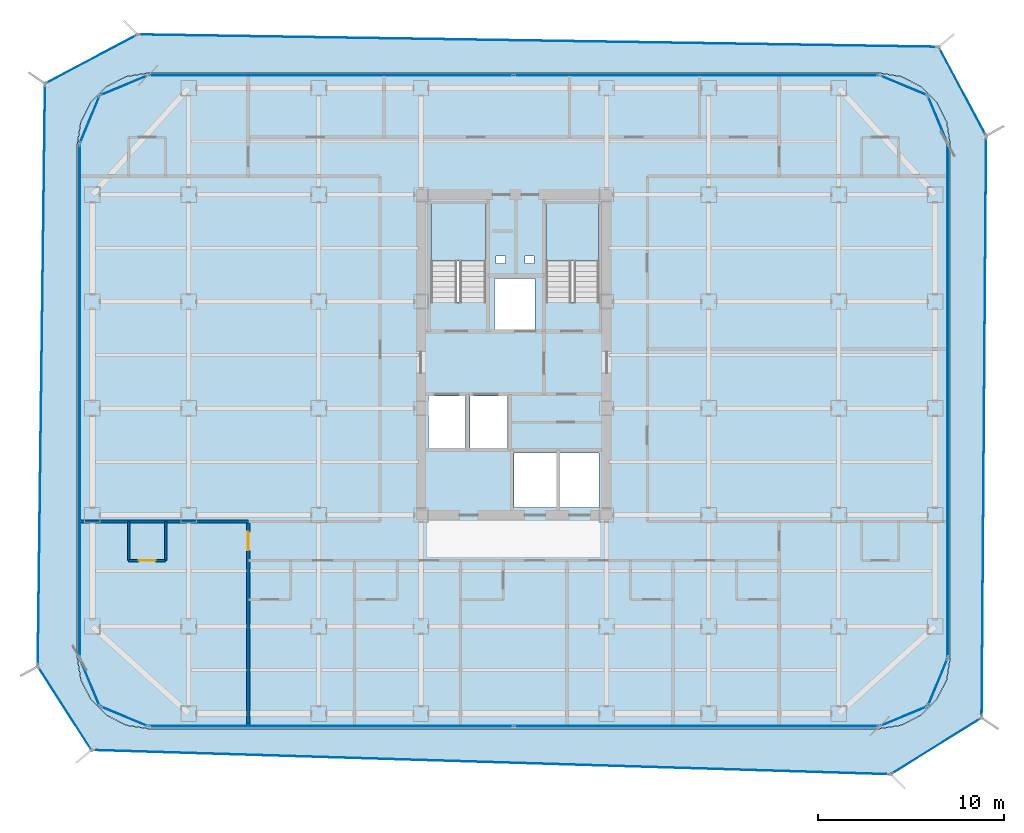
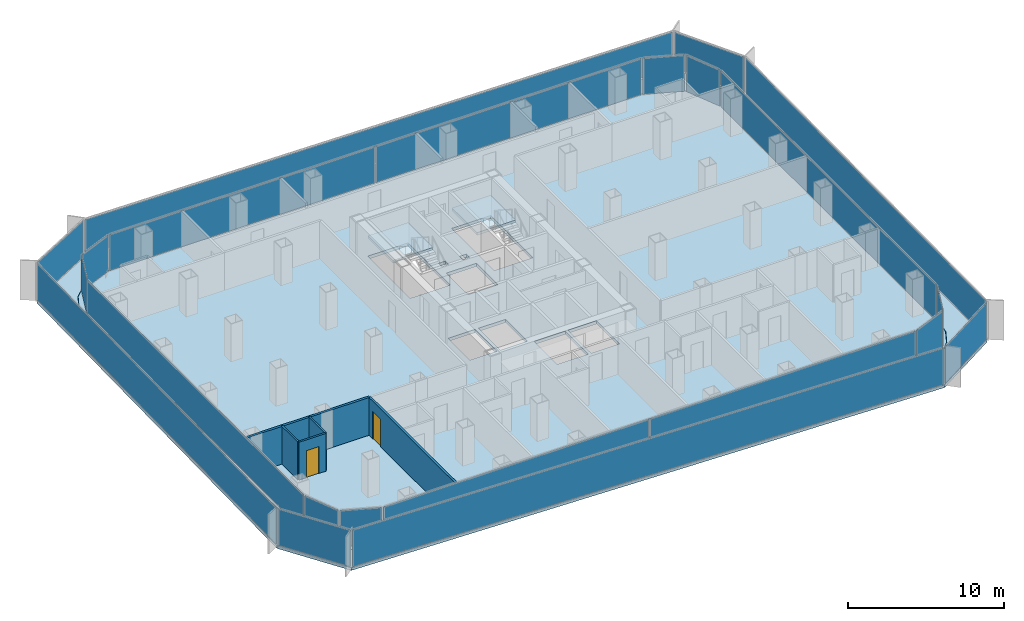
# One storey, part 15 of 21: 22 plates, 5 walls, 4 slabs, 2 doors, 2 openings, 22 elements without a shape of their own.
"""IFC4 building model written with IfcOpenShell, lengths in metres."""

from ifc_helpers import new_model, si_unit, direction, frame, frame_2d, origin, origin_2d, place, context, subcontext, project, spatial, polyline, rectangle, outline, extrude, source, transform, mapped, material, layer, layer_set, type_object, element, fill, aggregate, save


model = new_model("IFC4")

# Units and contexts
model_context = context("Model", 3, precision=1e-05, world=origin(), true_north=direction((0.0, 1.0)))
body_context = subcontext(model_context, "Body", "Model", "MODEL_VIEW")
ifc_project = project(units=[si_unit("LENGTHUNIT", "METRE"), si_unit("AREAUNIT", "SQUARE_METRE"), si_unit("VOLUMEUNIT", "CUBIC_METRE"), si_unit("PLANEANGLEUNIT", "RADIAN"), si_unit("MASSUNIT", "GRAM", prefix="KILO")], contexts=[model_context])

# Site, building, storey
site_placement = place(None, origin())
site = spatial("IfcSite", under=ifc_project, at=site_placement, CompositionType="ELEMENT")
building_placement = place(site_placement, origin())
building = spatial("IfcBuilding", under=site, at=building_placement, Name="Kolveth Station Tower", CompositionType="ELEMENT")
storey_placement = place(building_placement, frame((0.0, 0.0, 99.10009765625)))
storey = spatial("IfcBuildingStorey", under=building, at=storey_placement, Name="L26", CompositionType="ELEMENT", Elevation=99.10009765625)

# Slab
ifc_material_1 = material(Name="Concrete C40/50", Category="concrete")
ifc_layer_1 = layer(ifc_material_1, 0.25)
ifc_layer_set_1 = layer_set([ifc_layer_1], Name="Concrete C40/50")
slab_type_1 = type_object("IfcSlabType", Name="Slab_SF-250", PredefinedType="FLOOR", material=ifc_layer_set_1)
slab_1_placement = place(storey_placement, frame((0.0, 0.0, -0.25)))
element("IfcSlab", 1, at=slab_1_placement, inside=storey, type_object=slab_type_1, Name="L26 Tower Structural Floor Slab", PredefinedType="FLOOR", context=body_context, shape_type="SweptSolid", body=[
    extrude(outline(polyline([(43.199951171875, 0.0), (44.374267578125, 0.18603515625), (45.43359375, 0.7255859375), (46.2744140625, 1.56640625), (46.81396484375, 2.625732421875), (47.0, 3.800048828125), (47.0, 31.5), (46.81396484375, 32.67431640625), (46.2744140625, 33.733642578125), (45.43359375, 34.57421875), (44.374267578125, 35.114013671875), (43.199951171875, 35.300048828125), (3.800048828125, 35.300048828125), (2.625732421875, 35.114013671875), (1.56640625, 34.57421875), (0.7255859375, 33.733642578125), (0.18603515625, 32.67431640625), (0.0, 31.5), (0.0, 3.800048828125), (0.18603515625, 2.625732421875), (0.7255859375, 1.56640625), (1.56640625, 0.7255859375), (2.625732421875, 0.18603515625), (3.800048828125, 0.0), (43.199951171875, 0.0)]), holes=[polyline([(19.0400390625, 22.985107421875), (22.0, 22.985107421875), (22.0, 28.39990234375), (19.0400390625, 28.39990234375), (19.0400390625, 22.985107421875)]), polyline([(25.239990234375, 22.985107421875), (28.10009765625, 22.985107421875), (28.10009765625, 28.39990234375), (25.239990234375, 28.39990234375), (25.239990234375, 22.985107421875)]), polyline([(18.89990234375, 15.10009765625), (20.89990234375, 15.10009765625), (20.89990234375, 17.89990234375), (18.89990234375, 17.89990234375), (18.89990234375, 15.10009765625)]), polyline([(21.14990234375, 15.10009765625), (23.14990234375, 15.10009765625), (23.14990234375, 17.89990234375), (21.14990234375, 17.89990234375), (21.14990234375, 15.10009765625)]), polyline([(22.449951171875, 21.5), (24.64990234375, 21.5), (24.64990234375, 24.25), (22.449951171875, 24.25), (22.449951171875, 21.5)]), polyline([(23.5, 11.89990234375), (25.800048828125, 11.89990234375), (25.800048828125, 14.85009765625), (23.5, 14.85009765625), (23.5, 11.89990234375)]), polyline([(26.0, 11.89990234375), (28.10009765625, 11.89990234375), (28.10009765625, 14.85009765625), (26.0, 14.85009765625), (26.0, 11.89990234375)]), polyline([(22.550048828125, 25.050048828125), (23.050048828125, 25.050048828125), (23.050048828125, 25.449951171875), (22.550048828125, 25.449951171875), (22.550048828125, 25.050048828125)]), polyline([(24.10009765625, 25.050048828125), (24.60009765625, 25.050048828125), (24.60009765625, 25.449951171875), (24.10009765625, 25.449951171875), (24.10009765625, 25.050048828125)])]), origin(), (0.0, 0.0, 1.0), 0.25),
])

# Stair, slab
stair_type_1 = type_object("IfcStairType", Name="Stair_ST2", PredefinedType="HALF_TURN_STAIR", material=ifc_material_1)
stair_1_placement = place(storey_placement, origin())
stair_1 = element("IfcStair", 2, at=stair_1_placement, inside=storey, type_object=stair_type_1, Name="L26 Tower Exit Stair ST2", PredefinedType="HALF_TURN_STAIR")
ifc_layer_2 = layer(ifc_material_1, 0.18994140625)
ifc_layer_set_2 = layer_set([ifc_layer_2], Name="Concrete C40/50")
slab_type_2 = type_object("IfcSlabType", Name="Slab_SL-190", PredefinedType="LANDING", material=ifc_layer_set_2)
slab_2_placement = place(storey_placement, frame((0.0, 0.0, 1.39990234375)))
slab_2 = element("IfcSlab", 3, at=slab_2_placement, type_object=slab_type_2, Name="ST2 landing 1", PredefinedType="LANDING", context=body_context, shape_type="SweptSolid", body=[
    extrude(outline(polyline([(28.10009765625, 25.18994140625), (28.10009765625, 28.39990234375), (25.239990234375, 28.39990234375), (25.239990234375, 25.18994140625), (28.10009765625, 25.18994140625)])), origin(), (0.0, 0.0, 1.0), 0.199951171875),
])
aggregate(stair_1, [slab_2])

stair_type_2 = type_object("IfcStairType", Name="Stair_ST1", PredefinedType="HALF_TURN_STAIR", material=ifc_material_1)
stair_2_placement = place(storey_placement, origin())
stair_2 = element("IfcStair", 4, at=stair_2_placement, inside=storey, type_object=stair_type_2, Name="L26 Tower Exit Stair ST1", PredefinedType="HALF_TURN_STAIR")
ifc_layer_3 = layer(ifc_material_1, 0.205078125)
ifc_layer_set_3 = layer_set([ifc_layer_3], Name="Concrete C40/50")
slab_type_3 = type_object("IfcSlabType", Name="Slab_SL-205", PredefinedType="LANDING", material=ifc_layer_set_3)
slab_3_placement = place(storey_placement, frame((0.0, 0.0, 1.39990234375)))
slab_3 = element("IfcSlab", 5, at=slab_3_placement, type_object=slab_type_3, Name="ST1 landing 1", PredefinedType="LANDING", context=body_context, shape_type="SweptSolid", body=[
    extrude(outline(polyline([(22.0, 25.18994140625), (22.0, 28.39990234375), (19.0400390625, 28.39990234375), (19.0400390625, 25.18994140625), (22.0, 25.18994140625)])), origin(), (0.0, 0.0, 1.0), 0.199951171875),
])
aggregate(stair_2, [slab_3])

# Slab
ifc_layer_4 = layer(ifc_material_1, 0.2099609375)
ifc_layer_set_4 = layer_set([ifc_layer_4], Name="Concrete C40/50")
slab_type_4 = type_object("IfcSlabType", Name="Slab_ST-210", PredefinedType="FLOOR", material=ifc_layer_set_4)
slab_4_placement = place(storey_placement, frame((0.0, 0.0, -0.210205078125)))
element("IfcSlab", 6, at=slab_4_placement, inside=storey, type_object=slab_type_4, Name="L26 Double-Skin Cavity Structural Ledger Ring", PredefinedType="FLOOR", context=body_context, shape_type="SweptSolid", body=[
    extrude(outline(polyline([(0.75537109375, -1.15966796875), (-2.13623046875, 3.351318359375), (-1.74560546875, 34.73876953125), (3.24462890625, 37.38427734375), (46.39208984375, 36.71826171875), (48.948974609375, 31.925048828125), (48.706787109375, 0.58349609375), (43.802734375, -2.466552734375), (0.75537109375, -1.15966796875)]), holes=[polyline([(43.202392578125, -0.014892578125), (44.376708984375, 0.171142578125), (44.381103515625, 0.172607421875), (45.4404296875, 0.71240234375), (45.444091796875, 0.715087890625), (46.284912109375, 1.555908203125), (46.28759765625, 1.5595703125), (46.827392578125, 2.618896484375), (46.828857421875, 2.623291015625), (47.014892578125, 3.797607421875), (47.014892578125, 3.800048828125), (47.014892578125, 31.5), (47.014892578125, 31.502197265625), (46.828857421875, 32.676513671875), (46.827392578125, 32.68115234375), (46.28759765625, 33.740478515625), (46.284912109375, 33.744140625), (45.444091796875, 34.5849609375), (45.4404296875, 34.587646484375), (44.381103515625, 35.12744140625), (44.376708984375, 35.12890625), (43.202392578125, 35.314697265625), (43.199951171875, 35.31494140625), (3.800048828125, 35.31494140625), (3.797607421875, 35.314697265625), (2.623291015625, 35.12890625), (2.618896484375, 35.12744140625), (1.5595703125, 34.587646484375), (1.555908203125, 34.5849609375), (0.715087890625, 33.744140625), (0.71240234375, 33.740478515625), (0.172607421875, 32.68115234375), (0.171142578125, 32.676513671875), (-0.014892578125, 31.502197265625), (-0.014892578125, 31.5), (-0.014892578125, 3.800048828125), (-0.014892578125, 3.797607421875), (0.171142578125, 2.623291015625), (0.172607421875, 2.618896484375), (0.71240234375, 1.5595703125), (0.715087890625, 1.555908203125), (1.555908203125, 0.715087890625), (1.5595703125, 0.71240234375), (2.618896484375, 0.172607421875), (2.623291015625, 0.171142578125), (3.797607421875, -0.014892578125), (3.800048828125, -0.014892578125), (43.199951171875, -0.014892578125), (43.202392578125, -0.014892578125)])]), origin(), (0.0, 0.0, 1.0), 0.210205078125),
])

# Curtain wall, plate
ifc_material_2 = material(Name="Aluminium 6063-T6 and low-E dark glass", Category="aluminium")
ifc_layer_5 = layer(ifc_material_2, 0.18994140625)
ifc_layer_set_5 = layer_set([ifc_layer_5], Name="Aluminium 6063-T6 and low-E dark glass")
curtain_wall_type_1 = type_object("IfcCurtainWallType", Name="CurtainWall_CW-Z2", PredefinedType="NOTDEFINED", material=ifc_layer_set_5)
curtain_wall_1_placement = place(storey_placement, origin())
curtain_wall_1 = element("IfcCurtainWall", 7, at=curtain_wall_1_placement, inside=storey, type_object=curtain_wall_type_1, Name="L26 Inner Thermal Curtain Wall 1", PredefinedType="NOTDEFINED")
ifc_material_3 = material(Name="Architectural low-E dark glass", Category="glass")
ifc_layer_6 = layer(ifc_material_3, 0.0380859375)
ifc_layer_set_6 = layer_set([ifc_layer_6], Name="Architectural low-E dark glass")
plate_type_1 = type_object("IfcPlateType", Name="Panel_GL2", PredefinedType="CURTAIN_PANEL", material=ifc_layer_set_6)
shared_shape_1 = source(origin(), body_context, "Body", "SweptSolid", [
    extrude(rectangle(XDim=2.670654296875, YDim=0.0380859375, at=origin_2d()), origin(), (0.0, 0.0, 1.0), 2.803955078125),
])
plate_1_placement = place(storey_placement, frame((44.501220703125, 0.658935546875, 0.07275390625), z_axis=(0.0, 0.0, 1.0), x_axis=(0.923887883787, 0.38266326998, 0.0)))
plate_1 = element("IfcPlate", 8, at=plate_1_placement, type_object=plate_type_1, Name="CW-Z2 panel 1.1", PredefinedType="CURTAIN_PANEL", context=body_context, shape_type="MappedRepresentation", body=[
    mapped(shared_shape_1, transform((0.0, 0.0, 0.0), x_axis=(1.0, 0.0, 0.0), y_axis=(0.0, 1.0, 0.0), z_axis=(0.0, 0.0, 1.0), scale=1.0)),
])
aggregate(curtain_wall_1, [plate_1])

curtain_wall_2_placement = place(storey_placement, origin())
curtain_wall_2 = element("IfcCurtainWall", 9, at=curtain_wall_2_placement, inside=storey, type_object=curtain_wall_type_1, Name="L26 Inner Thermal Curtain Wall 2", PredefinedType="NOTDEFINED")
plate_2_placement = place(storey_placement, frame((46.341064453125, 2.498779296875, 0.07275390625), z_axis=(0.0, 0.0, 1.0), x_axis=(0.38266326998, 0.923887883787, 0.0)))
plate_2 = element("IfcPlate", 10, at=plate_2_placement, type_object=plate_type_1, Name="CW-Z2 panel 1.1", PredefinedType="CURTAIN_PANEL", context=body_context, shape_type="MappedRepresentation", body=[
    mapped(shared_shape_1, transform((0.0, 0.0, 0.0), x_axis=(1.0, 0.0, 0.0), y_axis=(0.0, 1.0, 0.0), z_axis=(0.0, 0.0, 1.0), scale=1.0)),
])
aggregate(curtain_wall_2, [plate_2])

curtain_wall_3_placement = place(storey_placement, origin())
curtain_wall_3 = element("IfcCurtainWall", 11, at=curtain_wall_3_placement, inside=storey, type_object=curtain_wall_type_1, Name="L26 Inner Thermal Curtain Wall 4", PredefinedType="NOTDEFINED")
plate_3_placement = place(storey_placement, frame((46.341064453125, 32.801025390625, 0.07275390625), z_axis=(0.0, 0.0, 1.0), x_axis=(-0.38266326998, 0.923887883787, 0.0)))
plate_3 = element("IfcPlate", 12, at=plate_3_placement, type_object=plate_type_1, Name="CW-Z2 panel 1.1", PredefinedType="CURTAIN_PANEL", context=body_context, shape_type="MappedRepresentation", body=[
    mapped(shared_shape_1, transform((0.0, 0.0, 0.0), x_axis=(1.0, 0.0, 0.0), y_axis=(0.0, 1.0, 0.0), z_axis=(0.0, 0.0, 1.0), scale=1.0)),
])
aggregate(curtain_wall_3, [plate_3])

curtain_wall_4_placement = place(storey_placement, origin())
curtain_wall_4 = element("IfcCurtainWall", 13, at=curtain_wall_4_placement, inside=storey, type_object=curtain_wall_type_1, Name="L26 Inner Thermal Curtain Wall 5", PredefinedType="NOTDEFINED")
plate_4_placement = place(storey_placement, frame((44.501220703125, 34.64111328125, 0.07275390625), z_axis=(0.0, 0.0, 1.0), x_axis=(-0.923887883787, 0.38266326998, 0.0)))
plate_4 = element("IfcPlate", 14, at=plate_4_placement, type_object=plate_type_1, Name="CW-Z2 panel 1.1", PredefinedType="CURTAIN_PANEL", context=body_context, shape_type="MappedRepresentation", body=[
    mapped(shared_shape_1, transform((0.0, 0.0, 0.0), x_axis=(1.0, 0.0, 0.0), y_axis=(0.0, 1.0, 0.0), z_axis=(0.0, 0.0, 1.0), scale=1.0)),
])
aggregate(curtain_wall_4, [plate_4])

curtain_wall_5_placement = place(storey_placement, origin())
curtain_wall_5 = element("IfcCurtainWall", 15, at=curtain_wall_5_placement, inside=storey, type_object=curtain_wall_type_1, Name="L26 Inner Thermal Curtain Wall 7", PredefinedType="NOTDEFINED")
plate_5_placement = place(storey_placement, frame((2.498779296875, 34.64111328125, 0.07275390625), z_axis=(0.0, 0.0, 1.0), x_axis=(-0.923887883787, -0.38266326998, 0.0)))
plate_5 = element("IfcPlate", 16, at=plate_5_placement, type_object=plate_type_1, Name="CW-Z2 panel 1.1", PredefinedType="CURTAIN_PANEL", context=body_context, shape_type="MappedRepresentation", body=[
    mapped(shared_shape_1, transform((0.0, 0.0, 0.0), x_axis=(1.0, 0.0, 0.0), y_axis=(0.0, 1.0, 0.0), z_axis=(0.0, 0.0, 1.0), scale=1.0)),
])
aggregate(curtain_wall_5, [plate_5])

curtain_wall_6_placement = place(storey_placement, origin())
curtain_wall_6 = element("IfcCurtainWall", 17, at=curtain_wall_6_placement, inside=storey, type_object=curtain_wall_type_1, Name="L26 Inner Thermal Curtain Wall 8", PredefinedType="NOTDEFINED")
plate_6_placement = place(storey_placement, frame((0.658935546875, 32.801025390625, 0.07275390625), z_axis=(0.0, 0.0, 1.0), x_axis=(-0.38266326998, -0.923887883787, 0.0)))
plate_6 = element("IfcPlate", 18, at=plate_6_placement, type_object=plate_type_1, Name="CW-Z2 panel 1.1", PredefinedType="CURTAIN_PANEL", context=body_context, shape_type="MappedRepresentation", body=[
    mapped(shared_shape_1, transform((0.0, 0.0, 0.0), x_axis=(1.0, 0.0, 0.0), y_axis=(0.0, 1.0, 0.0), z_axis=(0.0, 0.0, 1.0), scale=1.0)),
])
aggregate(curtain_wall_6, [plate_6])

curtain_wall_7_placement = place(storey_placement, origin())
curtain_wall_7 = element("IfcCurtainWall", 19, at=curtain_wall_7_placement, inside=storey, type_object=curtain_wall_type_1, Name="L26 Inner Thermal Curtain Wall 10", PredefinedType="NOTDEFINED")
plate_7_placement = place(storey_placement, frame((0.658935546875, 2.498779296875, 0.07275390625), z_axis=(0.0, 0.0, 1.0), x_axis=(0.38266326998, -0.923887883787, 0.0)))
plate_7 = element("IfcPlate", 20, at=plate_7_placement, type_object=plate_type_1, Name="CW-Z2 panel 1.1", PredefinedType="CURTAIN_PANEL", context=body_context, shape_type="MappedRepresentation", body=[
    mapped(shared_shape_1, transform((0.0, 0.0, 0.0), x_axis=(1.0, 0.0, 0.0), y_axis=(0.0, 1.0, 0.0), z_axis=(0.0, 0.0, 1.0), scale=1.0)),
])
aggregate(curtain_wall_7, [plate_7])

curtain_wall_8_placement = place(storey_placement, origin())
curtain_wall_8 = element("IfcCurtainWall", 21, at=curtain_wall_8_placement, inside=storey, type_object=curtain_wall_type_1, Name="L26 Inner Thermal Curtain Wall 11", PredefinedType="NOTDEFINED")
plate_8_placement = place(storey_placement, frame((2.498779296875, 0.658935546875, 0.07275390625), z_axis=(0.0, 0.0, 1.0), x_axis=(0.923887883787, -0.38266326998, 0.0)))
plate_8 = element("IfcPlate", 22, at=plate_8_placement, type_object=plate_type_1, Name="CW-Z2 panel 1.1", PredefinedType="CURTAIN_PANEL", context=body_context, shape_type="MappedRepresentation", body=[
    mapped(shared_shape_1, transform((0.0, 0.0, 0.0), x_axis=(1.0, 0.0, 0.0), y_axis=(0.0, 1.0, 0.0), z_axis=(0.0, 0.0, 1.0), scale=1.0)),
])
aggregate(curtain_wall_8, [plate_8])

curtain_wall_9_placement = place(storey_placement, origin())
curtain_wall_9 = element("IfcCurtainWall", 23, at=curtain_wall_9_placement, inside=storey, type_object=curtain_wall_type_1, Name="L26 Inner Thermal Curtain Wall 3", PredefinedType="NOTDEFINED")
shared_shape_2 = source(origin(), body_context, "Body", "SweptSolid", [
    extrude(rectangle(XDim=27.553955078125, YDim=0.0380859375, at=origin_2d()), origin(), (0.0, 0.0, 1.0), 2.803955078125),
])
plate_9_placement = place(storey_placement, frame((46.8798828125, 17.64990234375, 0.07275390625), z_axis=(0.0, 0.0, 1.0), x_axis=(0.0, 1.0, 0.0)))
plate_9 = element("IfcPlate", 24, at=plate_9_placement, type_object=plate_type_1, Name="CW-Z2 panel 1.1", PredefinedType="CURTAIN_PANEL", context=body_context, shape_type="MappedRepresentation", body=[
    mapped(shared_shape_2, transform((0.0, 0.0, 0.0), x_axis=(1.0, 0.0, 0.0), y_axis=(0.0, 1.0, 0.0), z_axis=(0.0, 0.0, 1.0), scale=1.0)),
])
aggregate(curtain_wall_9, [plate_9])

curtain_wall_10_placement = place(storey_placement, origin())
curtain_wall_10 = element("IfcCurtainWall", 25, at=curtain_wall_10_placement, inside=storey, type_object=curtain_wall_type_1, Name="L26 Inner Thermal Curtain Wall 9", PredefinedType="NOTDEFINED")
plate_10_placement = place(storey_placement, frame((0.1201171875, 17.64990234375, 0.07275390625), z_axis=(0.0, 0.0, 1.0), x_axis=(0.0, -1.0, 0.0)))
plate_10 = element("IfcPlate", 26, at=plate_10_placement, type_object=plate_type_1, Name="CW-Z2 panel 1.1", PredefinedType="CURTAIN_PANEL", context=body_context, shape_type="MappedRepresentation", body=[
    mapped(shared_shape_2, transform((0.0, 0.0, 0.0), x_axis=(1.0, 0.0, 0.0), y_axis=(0.0, 1.0, 0.0), z_axis=(0.0, 0.0, 1.0), scale=1.0)),
])
aggregate(curtain_wall_10, [plate_10])

# Curtain wall, plates
curtain_wall_11_placement = place(storey_placement, origin())
curtain_wall_11 = element("IfcCurtainWall", 27, at=curtain_wall_11_placement, inside=storey, type_object=curtain_wall_type_1, Name="L26 Inner Thermal Curtain Wall 6", PredefinedType="NOTDEFINED")
shared_shape_3 = source(origin(), body_context, "Body", "SweptSolid", [
    extrude(rectangle(XDim=19.593994140625, YDim=0.0380859375, at=origin_2d()), origin(), (0.0, 0.0, 1.0), 2.803955078125),
])
plate_11_placement = place(storey_placement, frame((33.330078125, 35.179931640625, 0.07275390625), z_axis=(0.0, 0.0, 1.0), x_axis=(-1.0, 0.0, 0.0)))
plate_11 = element("IfcPlate", 28, at=plate_11_placement, type_object=plate_type_1, Name="CW-Z2 panel 1.1", PredefinedType="CURTAIN_PANEL", context=body_context, shape_type="MappedRepresentation", body=[
    mapped(shared_shape_3, transform((0.0, 0.0, 0.0), x_axis=(1.0, 0.0, 0.0), y_axis=(0.0, 1.0, 0.0), z_axis=(0.0, 0.0, 1.0), scale=1.0)),
])
plate_12_placement = place(storey_placement, frame((13.669921875, 35.179931640625, 0.07275390625), z_axis=(0.0, 0.0, 1.0), x_axis=(-1.0, 0.0, 0.0)))
plate_12 = element("IfcPlate", 29, at=plate_12_placement, type_object=plate_type_1, Name="CW-Z2 panel 2.1", PredefinedType="CURTAIN_PANEL", context=body_context, shape_type="MappedRepresentation", body=[
    mapped(shared_shape_3, transform((0.0, 0.0, 0.0), x_axis=(1.0, 0.0, 0.0), y_axis=(0.0, 1.0, 0.0), z_axis=(0.0, 0.0, 1.0), scale=1.0)),
])
aggregate(curtain_wall_11, [plate_11, plate_12])

curtain_wall_12_placement = place(storey_placement, origin())
curtain_wall_12 = element("IfcCurtainWall", 30, at=curtain_wall_12_placement, inside=storey, type_object=curtain_wall_type_1, Name="L26 Inner Thermal Curtain Wall 12", PredefinedType="NOTDEFINED")
plate_13_placement = place(storey_placement, frame((13.669921875, 0.1201171875, 0.07275390625), z_axis=(0.0, 0.0, 1.0), x_axis=(1.0, 0.0, 0.0)))
plate_13 = element("IfcPlate", 31, at=plate_13_placement, type_object=plate_type_1, Name="CW-Z2 panel 1.1", PredefinedType="CURTAIN_PANEL", context=body_context, shape_type="MappedRepresentation", body=[
    mapped(shared_shape_3, transform((0.0, 0.0, 0.0), x_axis=(1.0, 0.0, 0.0), y_axis=(0.0, 1.0, 0.0), z_axis=(0.0, 0.0, 1.0), scale=1.0)),
])
plate_14_placement = place(storey_placement, frame((33.330078125, 0.1201171875, 0.07275390625), z_axis=(0.0, 0.0, 1.0), x_axis=(1.0, 0.0, 0.0)))
plate_14 = element("IfcPlate", 32, at=plate_14_placement, type_object=plate_type_1, Name="CW-Z2 panel 2.1", PredefinedType="CURTAIN_PANEL", context=body_context, shape_type="MappedRepresentation", body=[
    mapped(shared_shape_3, transform((0.0, 0.0, 0.0), x_axis=(1.0, 0.0, 0.0), y_axis=(0.0, 1.0, 0.0), z_axis=(0.0, 0.0, 1.0), scale=1.0)),
])
aggregate(curtain_wall_12, [plate_13, plate_14])

# Curtain wall, plate
ifc_material_4 = material(Name="Black anodized aluminium 6063-T6 and dark solar glass", Category="aluminium")
ifc_layer_7 = layer(ifc_material_4, 0.159912109375)
ifc_layer_set_7 = layer_set([ifc_layer_7], Name="Black anodized aluminium 6063-T6 and dark solar glass")
curtain_wall_type_2 = type_object("IfcCurtainWallType", Name="OUTER SKIN CW-OS", PredefinedType="NOTDEFINED", material=ifc_layer_set_7)
curtain_wall_13_placement = place(storey_placement, origin())
curtain_wall_13 = element("IfcCurtainWall", 33, at=curtain_wall_13_placement, inside=storey, type_object=curtain_wall_type_2, Name="L26 Outer Ventilated Skin Curtain Wall 1", PredefinedType="NOTDEFINED")
ifc_layer_8 = layer(ifc_material_3, 0.028076171875)
ifc_layer_set_8 = layer_set([ifc_layer_8], Name="Architectural low-E dark glass")
plate_type_2 = type_object("IfcPlateType", Name="Panel_GL-OS", PredefinedType="CURTAIN_PANEL", material=ifc_layer_set_8)
shared_shape_4 = source(origin(), body_context, "Body", "SweptSolid", [
    extrude(rectangle(XDim=5.609375, YDim=0.028076171875, at=origin_2d()), origin(), (0.0, 0.0, 1.0), 2.843994140625),
])
plate_15_placement = place(storey_placement, frame((46.2548828125, -0.941650390625, 0.07275390625), z_axis=(0.0, 0.0, 1.0), x_axis=(0.849173258962, 0.528114359078, 0.0)))
plate_15 = element("IfcPlate", 34, at=plate_15_placement, type_object=plate_type_2, Name="CW-OS panel 1.1", PredefinedType="CURTAIN_PANEL", context=body_context, shape_type="MappedRepresentation", body=[
    mapped(shared_shape_4, transform((0.0, 0.0, 0.0), x_axis=(1.0, 0.0, 0.0), y_axis=(0.0, 1.0, 0.0), z_axis=(0.0, 0.0, 1.0), scale=1.0)),
])
aggregate(curtain_wall_13, [plate_15])

curtain_wall_14_placement = place(storey_placement, origin())
curtain_wall_14 = element("IfcCurtainWall", 35, at=curtain_wall_14_placement, inside=storey, type_object=curtain_wall_type_2, Name="L26 Outer Ventilated Skin Curtain Wall 2", PredefinedType="NOTDEFINED")
shared_shape_5 = source(origin(), body_context, "Body", "SweptSolid", [
    extrude(rectangle(XDim=31.176513671875, YDim=0.028076171875, at=origin_2d()), origin(), (0.0, 0.0, 1.0), 2.843994140625),
])
plate_16_placement = place(storey_placement, frame((48.827880859375, 16.254150390625, 0.07275390625), z_axis=(0.0, 0.0, 1.0), x_axis=(0.007721136968, 0.999970191578, 0.0)))
plate_16 = element("IfcPlate", 36, at=plate_16_placement, type_object=plate_type_2, Name="CW-OS panel 1.1", PredefinedType="CURTAIN_PANEL", context=body_context, shape_type="MappedRepresentation", body=[
    mapped(shared_shape_5, transform((0.0, 0.0, 0.0), x_axis=(1.0, 0.0, 0.0), y_axis=(0.0, 1.0, 0.0), z_axis=(0.0, 0.0, 1.0), scale=1.0)),
])
aggregate(curtain_wall_14, [plate_16])

curtain_wall_15_placement = place(storey_placement, origin())
curtain_wall_15 = element("IfcCurtainWall", 37, at=curtain_wall_15_placement, inside=storey, type_object=curtain_wall_type_2, Name="L26 Outer Ventilated Skin Curtain Wall 3", PredefinedType="NOTDEFINED")
shared_shape_6 = source(origin(), body_context, "Body", "SweptSolid", [
    extrude(rectangle(XDim=5.266357421875, YDim=0.028076171875, at=origin_2d()), origin(), (0.0, 0.0, 1.0), 2.843994140625),
])
plate_17_placement = place(storey_placement, frame((47.670654296875, 34.321533203125, 0.07275390625), z_axis=(0.0, 0.0, 1.0), x_axis=(-0.470635050601, 0.882327971417, 0.0)))
plate_17 = element("IfcPlate", 38, at=plate_17_placement, type_object=plate_type_2, Name="CW-OS panel 1.1", PredefinedType="CURTAIN_PANEL", context=body_context, shape_type="MappedRepresentation", body=[
    mapped(shared_shape_6, transform((0.0, 0.0, 0.0), x_axis=(1.0, 0.0, 0.0), y_axis=(0.0, 1.0, 0.0), z_axis=(0.0, 0.0, 1.0), scale=1.0)),
])
aggregate(curtain_wall_15, [plate_17])

curtain_wall_16_placement = place(storey_placement, origin())
curtain_wall_16 = element("IfcCurtainWall", 39, at=curtain_wall_16_placement, inside=storey, type_object=curtain_wall_type_2, Name="L26 Outer Ventilated Skin Curtain Wall 4", PredefinedType="NOTDEFINED")
shared_shape_7 = source(origin(), body_context, "Body", "SweptSolid", [
    extrude(rectangle(XDim=42.98681640625, YDim=0.028076171875, at=origin_2d()), origin(), (0.0, 0.0, 1.0), 2.843994140625),
])
plate_18_placement = place(storey_placement, frame((24.818359375, 37.05126953125, 0.07275390625), z_axis=(0.0, 0.0, 1.0), x_axis=(-0.999880859899, 0.015435867597, 0.0)))
plate_18 = element("IfcPlate", 40, at=plate_18_placement, type_object=plate_type_2, Name="CW-OS panel 1.1", PredefinedType="CURTAIN_PANEL", context=body_context, shape_type="MappedRepresentation", body=[
    mapped(shared_shape_7, transform((0.0, 0.0, 0.0), x_axis=(1.0, 0.0, 0.0), y_axis=(0.0, 1.0, 0.0), z_axis=(0.0, 0.0, 1.0), scale=1.0)),
])
aggregate(curtain_wall_16, [plate_18])

curtain_wall_17_placement = place(storey_placement, origin())
curtain_wall_17 = element("IfcCurtainWall", 41, at=curtain_wall_17_placement, inside=storey, type_object=curtain_wall_type_2, Name="L26 Outer Ventilated Skin Curtain Wall 5", PredefinedType="NOTDEFINED")
shared_shape_8 = source(origin(), body_context, "Body", "SweptSolid", [
    extrude(rectangle(XDim=5.482177734375, YDim=0.028076171875, at=origin_2d()), origin(), (0.0, 0.0, 1.0), 2.843994140625),
])
plate_19_placement = place(storey_placement, frame((0.74951171875, 36.0615234375, 0.07275390625), z_axis=(0.0, 0.0, 1.0), x_axis=(-0.883525937337, -0.468382234988, 0.0)))
plate_19 = element("IfcPlate", 42, at=plate_19_placement, type_object=plate_type_2, Name="CW-OS panel 1.1", PredefinedType="CURTAIN_PANEL", context=body_context, shape_type="MappedRepresentation", body=[
    mapped(shared_shape_8, transform((0.0, 0.0, 0.0), x_axis=(1.0, 0.0, 0.0), y_axis=(0.0, 1.0, 0.0), z_axis=(0.0, 0.0, 1.0), scale=1.0)),
])
aggregate(curtain_wall_17, [plate_19])

curtain_wall_18_placement = place(storey_placement, origin())
curtain_wall_18 = element("IfcCurtainWall", 43, at=curtain_wall_18_placement, inside=storey, type_object=curtain_wall_type_2, Name="L26 Outer Ventilated Skin Curtain Wall 6", PredefinedType="NOTDEFINED")
shared_shape_9 = source(origin(), body_context, "Body", "SweptSolid", [
    extrude(rectangle(XDim=31.223876953125, YDim=0.028076171875, at=origin_2d()), origin(), (0.0, 0.0, 1.0), 2.843994140625),
])
plate_20_placement = place(storey_placement, frame((-1.94091796875, 19.045166015625, 0.07275390625), z_axis=(0.0, 0.0, 1.0), x_axis=(-0.012440295721, -0.999922616527, 0.0)))
plate_20 = element("IfcPlate", 44, at=plate_20_placement, type_object=plate_type_2, Name="CW-OS panel 1.1", PredefinedType="CURTAIN_PANEL", context=body_context, shape_type="MappedRepresentation", body=[
    mapped(shared_shape_9, transform((0.0, 0.0, 0.0), x_axis=(1.0, 0.0, 0.0), y_axis=(0.0, 1.0, 0.0), z_axis=(0.0, 0.0, 1.0), scale=1.0)),
])
aggregate(curtain_wall_18, [plate_20])

curtain_wall_19_placement = place(storey_placement, origin())
curtain_wall_19 = element("IfcCurtainWall", 45, at=curtain_wall_19_placement, inside=storey, type_object=curtain_wall_type_2, Name="L26 Outer Ventilated Skin Curtain Wall 7", PredefinedType="NOTDEFINED")
shared_shape_10 = source(origin(), body_context, "Body", "SweptSolid", [
    extrude(rectangle(XDim=5.192138671875, YDim=0.028076171875, at=origin_2d()), origin(), (0.0, 0.0, 1.0), 2.843994140625),
])
plate_21_placement = place(storey_placement, frame((-0.6904296875, 1.095947265625, 0.07275390625), z_axis=(0.0, 0.0, 1.0), x_axis=(0.539665775554, -0.841879356378, 0.0)))
plate_21 = element("IfcPlate", 46, at=plate_21_placement, type_object=plate_type_2, Name="CW-OS panel 1.1", PredefinedType="CURTAIN_PANEL", context=body_context, shape_type="MappedRepresentation", body=[
    mapped(shared_shape_10, transform((0.0, 0.0, 0.0), x_axis=(1.0, 0.0, 0.0), y_axis=(0.0, 1.0, 0.0), z_axis=(0.0, 0.0, 1.0), scale=1.0)),
])
aggregate(curtain_wall_19, [plate_21])

curtain_wall_20_placement = place(storey_placement, origin())
curtain_wall_20 = element("IfcCurtainWall", 47, at=curtain_wall_20_placement, inside=storey, type_object=curtain_wall_type_2, Name="L26 Outer Ventilated Skin Curtain Wall 8", PredefinedType="NOTDEFINED")
shared_shape_11 = source(origin(), body_context, "Body", "SweptSolid", [
    extrude(rectangle(XDim=42.901123046875, YDim=0.028076171875, at=origin_2d()), origin(), (0.0, 0.0, 1.0), 2.843994140625),
])
plate_22_placement = place(storey_placement, frame((22.279052734375, -1.81298828125, 0.07275390625), z_axis=(0.0, 0.0, 1.0), x_axis=(0.999539394407, -0.030347965801, 0.0)))
plate_22 = element("IfcPlate", 48, at=plate_22_placement, type_object=plate_type_2, Name="CW-OS panel 1.1", PredefinedType="CURTAIN_PANEL", context=body_context, shape_type="MappedRepresentation", body=[
    mapped(shared_shape_11, transform((0.0, 0.0, 0.0), x_axis=(1.0, 0.0, 0.0), y_axis=(0.0, 1.0, 0.0), z_axis=(0.0, 0.0, 1.0), scale=1.0)),
])
aggregate(curtain_wall_20, [plate_22])

# Walls
ifc_material_5 = material(Name="Moisture-resistant gypsum partition")
ifc_layer_9 = layer(ifc_material_5, 0.135009765625)
ifc_layer_set_9 = layer_set([ifc_layer_9], Name="Moisture-resistant gypsum partition")
wall_type_1 = type_object("IfcWallType", Name="Wall_IW-135", PredefinedType="PARTITIONING", material=ifc_layer_set_9)
for number, where, z_axis, x_axis, name in (
    (49, (2.75, 9.050048828125, 0.0), (0.0, 0.0, 1.0), (0.0, 1.0, 0.0), "L26 Partition Wall WL-L26-WS1-BV1"),
    (50, (4.75, 9.050048828125, 0.0), (0.0, 0.0, 1.0), (0.0, 1.0, 0.0), "L26 Partition Wall WL-L26-WS1-BV2"),
):
    element("IfcWall", number, at=place(storey_placement, frame(where, z_axis=z_axis, x_axis=x_axis)), inside=storey, type_object=wall_type_1, Name=name, PredefinedType="PARTITIONING", context=body_context, shape_type="SweptSolid", body=[
        extrude(rectangle(XDim=2.099853515625, YDim=0.135009765625, at=frame_2d((1.0498046875, 0.0))), origin(), (0.0, 0.0, 1.0), 2.949951171875),
    ])

# Wall, opening, door
wall_1_placement = place(storey_placement, frame((2.75, 9.050048828125, 0.0), z_axis=(0.0, 0.0, 1.0), x_axis=(1.0, 0.0, 0.0)))
wall_1 = element("IfcWall", 51, at=wall_1_placement, inside=storey, type_object=wall_type_1, Name="L26 Partition Wall WL-L26-WS1-BH", PredefinedType="PARTITIONING", context=body_context, shape_type="SweptSolid", body=[
    extrude(rectangle(XDim=2.0, YDim=0.135009765625, at=frame_2d((1.0, 0.0))), origin(), (0.0, 0.0, 1.0), 2.949951171875),
])
opening_1_placement = place(wall_1_placement, frame((0.5400390625, 0.0, 0.0)))
opening_1 = element("IfcOpeningElement", 52, at=opening_1_placement, cuts=wall_1, Name="Opening ID2", PredefinedType="OPENING", context=body_context, shape_type="SweptSolid", body=[
    extrude(rectangle(XDim=0.919921875, YDim=2.10009765625, at=frame_2d((0.4599609375, 1.050048828125))), frame((0.0, 0.077392578125, 0.0), z_axis=(0.0, -1.0, 0.0), x_axis=(1.0, 0.0, 0.0)), (0.0, 0.0, 1.0), 0.155029296875),
])
ifc_material_6 = material(Name="Moisture-resistant hardwood leaf", Category="wood")
door_type_1 = type_object("IfcDoorType", Name="Door_ID2", OperationType="NOTDEFINED", PredefinedType="DOOR", material=ifc_material_6)
door_1_placement = place(opening_1_placement, origin())
door_1 = element("IfcDoor", 53, at=door_1_placement, inside=storey, type_object=door_type_1, Name="L26 Hotel Corner Suite WS1 En-Suite Door", OperationType="SINGLE_SWING_LEFT", OverallHeight=2.10009765625, OverallWidth=0.919921875, PredefinedType="DOOR", context=body_context, shape_type="SweptSolid", body=[
    extrude(rectangle(XDim=0.919921875, YDim=2.10009765625, at=frame_2d((0.4599609375, 1.050048828125))), frame((0.0, 0.02490234375, 0.0), z_axis=(0.0, -1.0, 0.0), x_axis=(1.0, 0.0, 0.0)), (0.0, 0.0, 1.0), 0.050048828125),
])
fill(opening_1, door_1)

ifc_material_7 = material(Name="Acoustic double-stud gypsum partition")
ifc_layer_10 = layer(ifc_material_7, 0.1650390625)
ifc_layer_set_10 = layer_set([ifc_layer_10], Name="Acoustic double-stud gypsum partition")
wall_type_2 = type_object("IfcWallType", Name="Wall_IW-165", PredefinedType="PARTITIONING", material=ifc_layer_set_10)
wall_2_placement = place(storey_placement, frame((9.199951171875, 0.159912109375, 0.0), z_axis=(0.0, 0.0, 1.0), x_axis=(0.0, 1.0, 0.0)))
wall_2 = element("IfcWall", 54, at=wall_2_placement, inside=storey, type_object=wall_type_2, Name="L26 Partition Wall WL-L26-END-WS", PredefinedType="PARTITIONING", context=body_context, shape_type="SweptSolid", body=[
    extrude(rectangle(XDim=10.989990234375, YDim=0.1650390625, at=frame_2d((5.4951171875, 0.0))), origin(), (0.0, 0.0, 1.0), 2.949951171875),
])
opening_2_placement = place(wall_2_placement, frame((9.43994140625, 0.0, 0.0)))
opening_2 = element("IfcOpeningElement", 55, at=opening_2_placement, cuts=wall_2, Name="Opening FD3", PredefinedType="OPENING", context=body_context, shape_type="SweptSolid", body=[
    extrude(rectangle(XDim=1.0, YDim=2.14990234375, at=frame_2d((0.5, 1.074951171875))), frame((0.0, 0.092529296875, 0.0), z_axis=(0.0, -1.0, 0.0), x_axis=(1.0, 0.0, 0.0)), (0.0, 0.0, 1.0), 0.18505859375),
])
ifc_material_8 = material(Name="Fire-rated hardwood leaf and aluminium frame", Category="wood")
door_type_2 = type_object("IfcDoorType", Name="Door_FD3", OperationType="NOTDEFINED", PredefinedType="DOOR", material=ifc_material_8)
door_2_placement = place(opening_2_placement, origin())
door_2 = element("IfcDoor", 56, at=door_2_placement, inside=storey, type_object=door_type_2, Name="L26 Hotel Corner Suite WS1 Entrance Door", OperationType="SINGLE_SWING_RIGHT", OverallHeight=2.14990234375, OverallWidth=1.0, PredefinedType="DOOR", context=body_context, shape_type="SweptSolid", body=[
    extrude(rectangle(XDim=1.0, YDim=2.14990234375, at=frame_2d((0.5, 1.074951171875))), frame((0.0, 0.02490234375, 0.0), z_axis=(0.0, -1.0, 0.0), x_axis=(1.0, 0.0, 0.0)), (0.0, 0.0, 1.0), 0.050048828125),
])
fill(opening_2, door_2)

# Wall
wall_3_placement = place(storey_placement, frame((0.159912109375, 11.14990234375, 0.0), z_axis=(0.0, 0.0, 1.0), x_axis=(1.0, 0.0, 0.0)))
element("IfcWall", 57, at=wall_3_placement, inside=storey, type_object=wall_type_2, Name="L26 Partition Wall WL-L26-WM1", PredefinedType="PARTITIONING", context=body_context, shape_type="SweptSolid", body=[
    extrude(rectangle(XDim=9.0400390625, YDim=0.1650390625, at=frame_2d((4.52001953125, 0.0))), origin(), (0.0, 0.0, 1.0), 2.949951171875),
])

save(model, "model.ifc")
